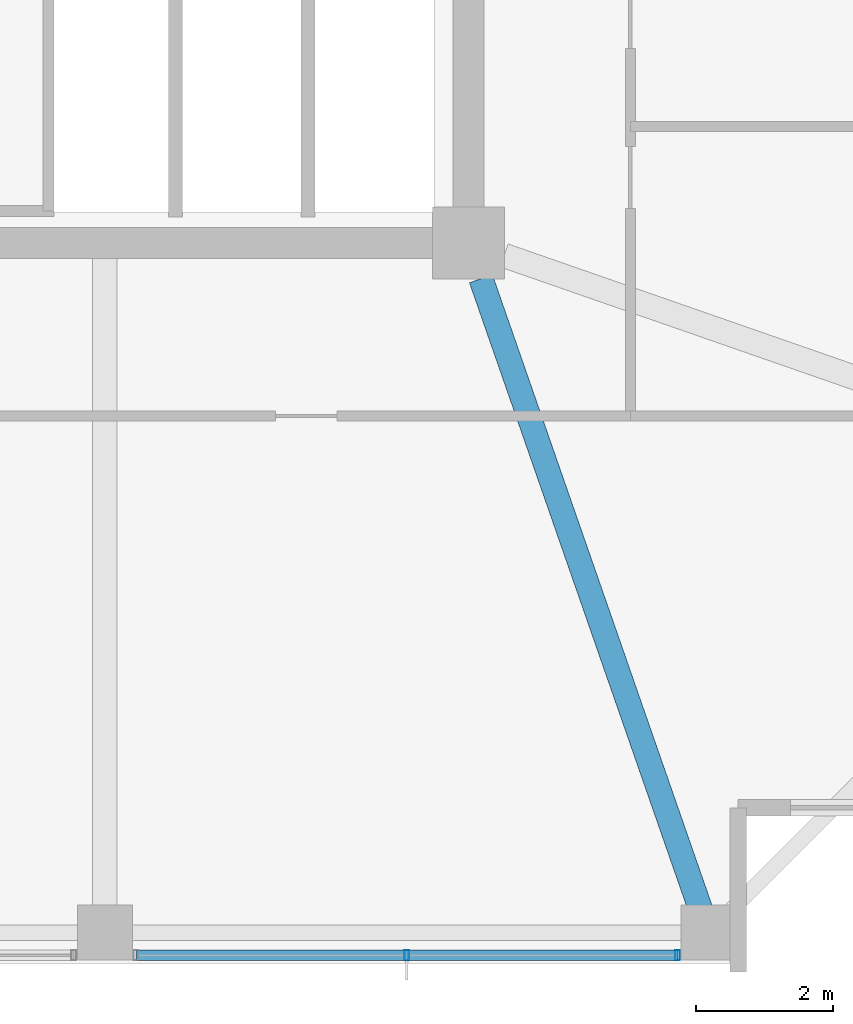
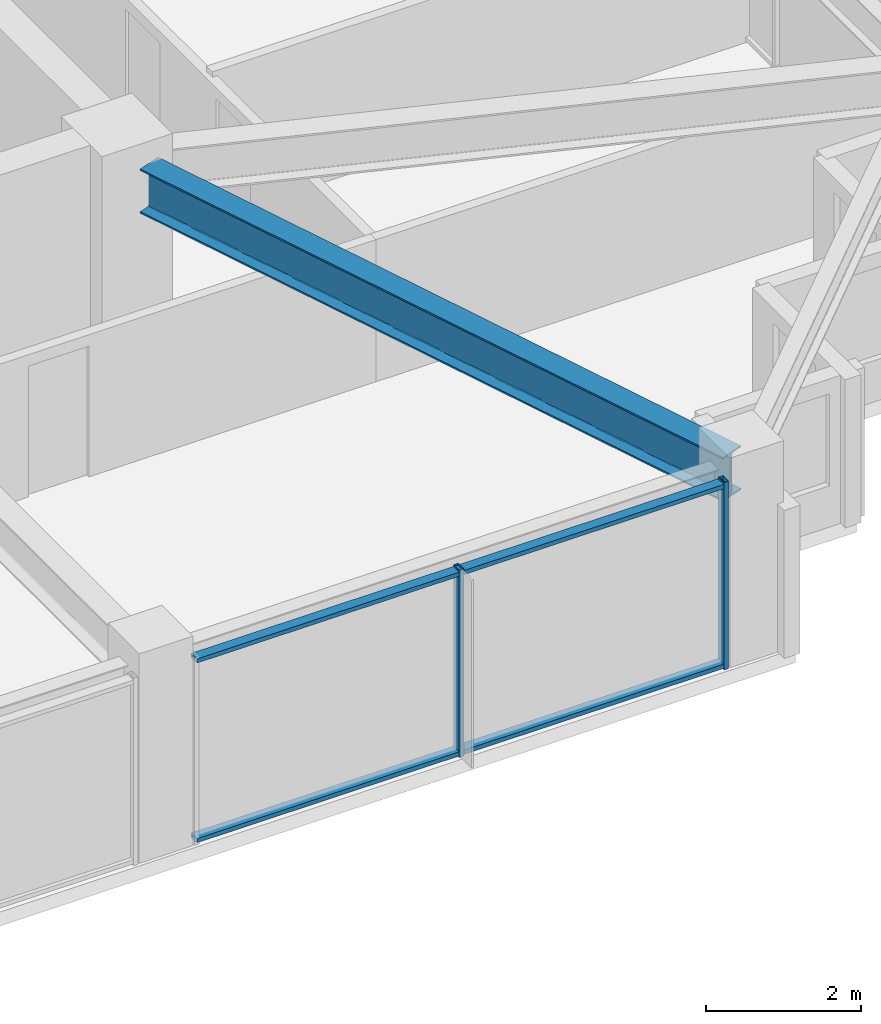
# One storey, part 10 of 34: 4 members, 1 beam, 1 element without a shape of its own.
"""IFC4 building model written with IfcOpenShell, lengths in metres."""

from ifc_helpers import new_model, si_unit, direction, frame, origin, origin_2d, place, context, subcontext, project, spatial, hollow_rectangle, i_section, extrude, material, material_profile, profile_set, type_object, element, aggregate, save


model = new_model("IFC4")

# Units and contexts
model_context = context("Model", 3, precision=1e-05, world=origin(), true_north=direction((0.0, 1.0)))
body_context = subcontext(model_context, "Body", "Model", "MODEL_VIEW")
ifc_project = project(units=[si_unit("LENGTHUNIT", "METRE"), si_unit("AREAUNIT", "SQUARE_METRE"), si_unit("VOLUMEUNIT", "CUBIC_METRE"), si_unit("PLANEANGLEUNIT", "RADIAN"), si_unit("MASSUNIT", "GRAM", prefix="KILO")], contexts=[model_context])

# Site, building, storey
site_placement = place(None, origin())
site = spatial("IfcSite", under=ifc_project, at=site_placement, CompositionType="ELEMENT")
building_placement = place(site_placement, origin())
building = spatial("IfcBuilding", under=site, at=building_placement, Name="Kolvaren Belvedere", CompositionType="ELEMENT")
storey_placement = place(building_placement, frame((0.0, 0.0, 229.5)))
storey = spatial("IfcBuildingStorey", under=building, at=storey_placement, Name="L67", CompositionType="ELEMENT", Elevation=229.5)

# Beam
ifc_material_1 = material(Name="Structural steel ASTM A992 Grade 50", Category="steel")
ifc_material_profile_1 = material_profile(ifc_material_1, i_section(OverallWidth=0.35498046875, OverallDepth=0.696044921875, WebThickness=0.015380859375, FlangeThickness=0.02490234375, FilletRadius=0.02197265625, at=origin_2d()), Name="W27X146")
ifc_profile_set_1 = profile_set([ifc_material_profile_1], Name="Structural steel ASTM A992 Grade 50")
beam_type = type_object("IfcBeamType", Name="BM-GIRD-W27X146", PredefinedType="BEAM", material=ifc_profile_set_1)
beam_placement = place(storey_placement, frame((10.080810546875, -10.41943359375, 2.60205078125), z_axis=(0.328898147971, -0.944365399758, 0.0), x_axis=(0.944365399758, 0.328898147971, 0.0)))
element("IfcBeam", 1, at=beam_placement, inside=storey, type_object=beam_type, Name="L67 Corner Core-to-Perimeter Girder CC2-S4", PredefinedType="BEAM", context=body_context, shape_type="SweptSolid", body=[
    extrude(i_section(OverallWidth=0.35498046875, OverallDepth=0.696044921875, WebThickness=0.015380859375, FlangeThickness=0.02490234375, FilletRadius=0.02197265625, at=origin_2d()), origin(), (0.0, 0.0, 1.0), 9.931884765625),
])

# Curtain wall, members
ifc_material_2 = material(Name="Anodised pale-metal aluminium AA 6063-T6", Category="aluminium")
curtain_wall_type = type_object("IfcCurtainWallType", Name="CW-Z5-HIGH", PredefinedType="NOTDEFINED", material=ifc_material_2)
curtain_wall_placement = place(storey_placement, origin())
curtain_wall = element("IfcCurtainWall", 2, at=curtain_wall_placement, inside=storey, type_object=curtain_wall_type, Name="L67 Unitised Curtain Wall FCW-L67-S-B1", PredefinedType="NOTDEFINED")
ifc_material_3 = material(Name="Anodised pale-metal aluminium AA 6063-T6", Category="aluminium")
ifc_material_profile_2 = material_profile(ifc_material_3, hollow_rectangle(XDim=0.070068359375, YDim=0.14990234375, WallThickness=0.004150390625, at=origin_2d()), Name="ALU-MUL-150X70")
ifc_profile_set_2 = profile_set([ifc_material_profile_2], Name="Anodised pale-metal aluminium AA 6063-T6")
member_type_1 = type_object("IfcMemberType", Name="CW-MUL-150", PredefinedType="MULLION", material=ifc_profile_set_2)
member_1_placement = place(storey_placement, frame((12.945068359375, -20.280029296875, 0.0), z_axis=(0.0, 0.0, 1.0), x_axis=(1.0, 0.0, 0.0)))
member_1 = element("IfcMember", 3, at=member_1_placement, type_object=member_type_1, Name="FCW-L67-S-B1 Unitised Mullion 1", PredefinedType="MULLION", context=body_context, shape_type="SweptSolid", body=[
    extrude(hollow_rectangle(XDim=0.070068359375, YDim=0.14990234375, WallThickness=0.004150390625, at=origin_2d()), origin(), (0.0, 0.0, 1.0), 2.949951171875),
])
member_2_placement = place(storey_placement, frame((9.0, -20.280029296875, 0.0), z_axis=(0.0, 0.0, 1.0), x_axis=(1.0, 0.0, 0.0)))
member_2 = element("IfcMember", 4, at=member_2_placement, type_object=member_type_1, Name="FCW-L67-S-B1 Unitised Mullion 2", PredefinedType="MULLION", context=body_context, shape_type="SweptSolid", body=[
    extrude(hollow_rectangle(XDim=0.070068359375, YDim=0.14990234375, WallThickness=0.004150390625, at=origin_2d()), origin(), (0.0, 0.0, 1.0), 2.949951171875),
])
ifc_material_4 = material(Name="Anodised pale-metal aluminium AA 6063-T6", Category="aluminium")
ifc_material_profile_3 = material_profile(ifc_material_4, hollow_rectangle(XDim=0.06494140625, YDim=0.14990234375, WallThickness=0.00390625, at=origin_2d()), Name="ALU-TRN-150X65")
ifc_profile_set_3 = profile_set([ifc_material_profile_3], Name="Anodised pale-metal aluminium AA 6063-T6")
member_type_2 = type_object("IfcMemberType", Name="CW-TRN-150", PredefinedType="USERDEFINED", material=ifc_profile_set_3)
member_3_placement = place(storey_placement, frame((12.945068359375, -20.280029296875, 0.06005859375), z_axis=(-1.0, 0.0, 0.0), x_axis=(0.0, 0.0, 1.0)))
member_3 = element("IfcMember", 5, at=member_3_placement, type_object=member_type_2, Name="FCW-L67-S-B1 Sill Transom", ObjectType="TRANSOM", PredefinedType="USERDEFINED", context=body_context, shape_type="SweptSolid", body=[
    extrude(hollow_rectangle(XDim=0.06494140625, YDim=0.14990234375, WallThickness=0.00390625, at=origin_2d()), origin(), (0.0, 0.0, 1.0), 7.89013671875),
])
member_4_placement = place(storey_placement, frame((12.945068359375, -20.280029296875, 2.889892578125), z_axis=(-1.0, 0.0, 0.0), x_axis=(0.0, 0.0, 1.0)))
member_4 = element("IfcMember", 6, at=member_4_placement, type_object=member_type_2, Name="FCW-L67-S-B1 Head Transom", ObjectType="TRANSOM", PredefinedType="USERDEFINED", context=body_context, shape_type="SweptSolid", body=[
    extrude(hollow_rectangle(XDim=0.06494140625, YDim=0.14990234375, WallThickness=0.00390625, at=origin_2d()), origin(), (0.0, 0.0, 1.0), 7.89013671875),
])
aggregate(curtain_wall, [member_1, member_2, member_3, member_4])

save(model, "model.ifc")
